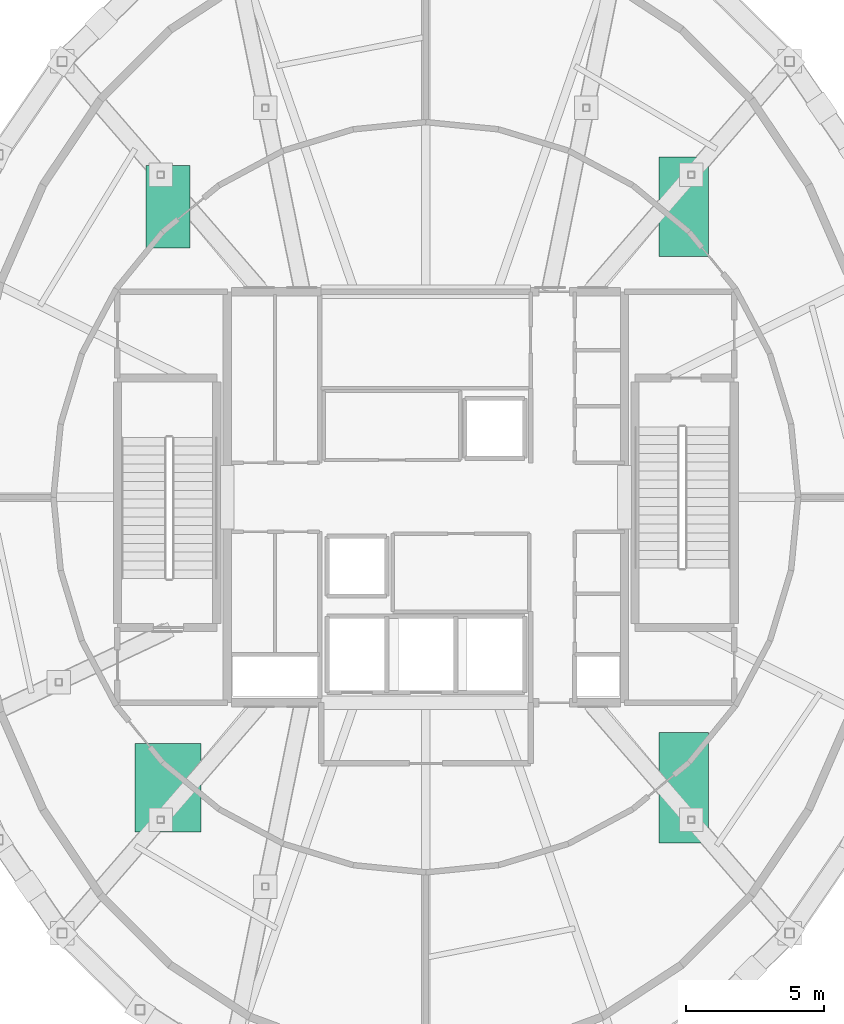
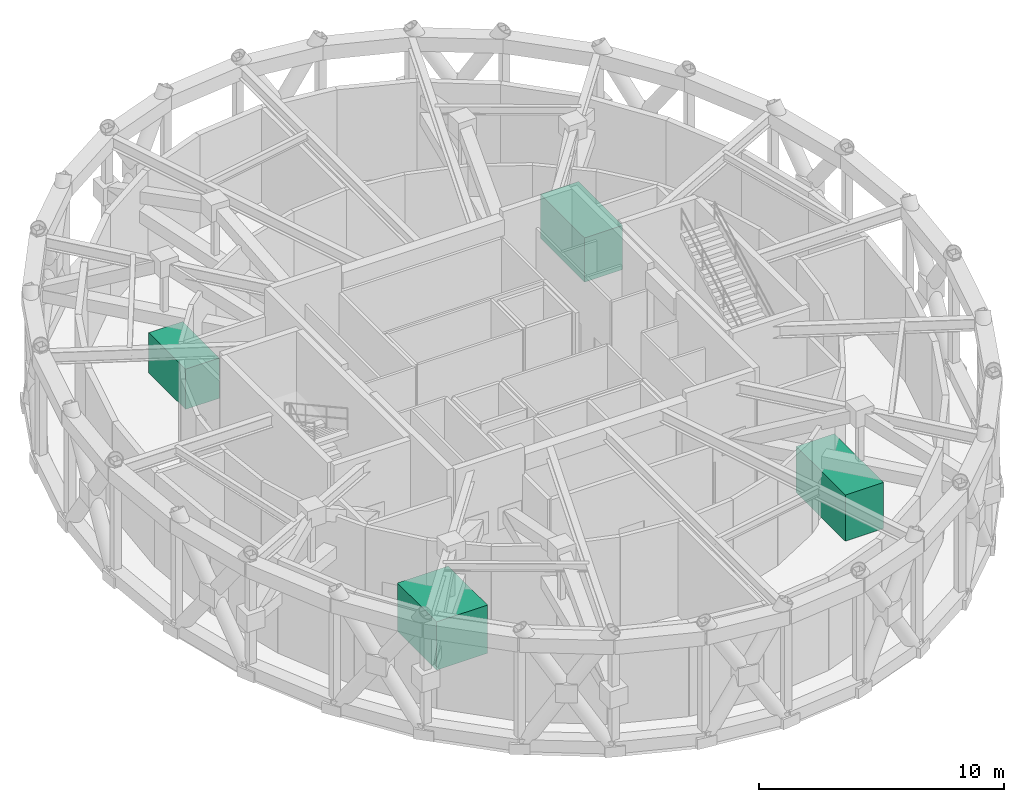
# One storey, part 11 of 11: 1 chiller, 1 electric generator, 1 tank, 1 unitary equipment element.
"""IFC4 building model written with IfcOpenShell, lengths in metres."""

from ifc_helpers import new_model, si_unit, direction, frame, origin, origin_2d, place, context, subcontext, project, spatial, rectangle, extrude, material, type_object, element, save


model = new_model("IFC4")

# Units and contexts
model_context = context("Model", 3, precision=1e-05, world=origin(), true_north=direction((0.0, 1.0)))
body_context = subcontext(model_context, "Body", "Model", "MODEL_VIEW")
ifc_project = project(units=[si_unit("LENGTHUNIT", "METRE"), si_unit("AREAUNIT", "SQUARE_METRE"), si_unit("VOLUMEUNIT", "CUBIC_METRE"), si_unit("PLANEANGLEUNIT", "RADIAN"), si_unit("MASSUNIT", "GRAM", prefix="KILO")], contexts=[model_context])

# Site, building, storey
site_placement = place(None, origin())
site = spatial("IfcSite", under=ifc_project, at=site_placement, CompositionType="ELEMENT")
building_placement = place(site_placement, origin())
building = spatial("IfcBuilding", under=site, at=building_placement, Name="Veldorina Hangang Commons", CompositionType="ELEMENT")
storey_placement = place(building_placement, frame((0.0, 0.0, 302.39990234375)))
storey = spatial("IfcBuildingStorey", under=building, at=storey_placement, Name="L79", CompositionType="ELEMENT", Elevation=302.39990234375)

# Unitary equipment
ifc_material_1 = material(Name="Aluminium Insulated Double-Skin Casing", Category="aluminium")
unitary_equipment_type = type_object("IfcUnitaryEquipmentType", Name="EQ-AHU-1", PredefinedType="AIRHANDLER", material=ifc_material_1)
unitary_equipment_placement = place(storey_placement, frame((22.646728515625, 34.530517578125, 0.0), z_axis=(0.0, 0.0, 1.0), x_axis=(1.0, 0.0, 0.0)))
element("IfcUnitaryEquipment", 1, at=unitary_equipment_placement, inside=storey, type_object=unitary_equipment_type, Name="L79 High-Zone Exhaust and AHU Plant Room equipment 020", PredefinedType="AIRHANDLER", context=body_context, shape_type="SweptSolid", body=[
    extrude(rectangle(XDim=1.60009765625, YDim=3.0, at=origin_2d()), origin(), (0.0, 0.0, 1.0), 2.0),
])

# Chiller
ifc_material_2 = material(Name="Steel Powder-Coated Enclosure", Category="steel")
chiller_type = type_object("IfcChillerType", Name="EQ-CHILLER-1", PredefinedType="AIRCOOLED", material=ifc_material_2)
chiller_placement = place(storey_placement, frame((41.353271484375, 34.530517578125, 0.0), z_axis=(0.0, 0.0, 1.0), x_axis=(1.0, 0.0, 0.0)))
element("IfcChiller", 2, at=chiller_placement, inside=storey, type_object=chiller_type, Name="L79 Top Heat Rejection Chiller Room equipment 019", PredefinedType="AIRCOOLED", context=body_context, shape_type="SweptSolid", body=[
    extrude(rectangle(XDim=1.800048828125, YDim=3.60009765625, at=origin_2d()), origin(), (0.0, 0.0, 1.0), 2.199951171875),
])

# Electric generator
ifc_material_3 = material(Name="Steel Acoustic Generator Canopy", Category="steel")
electric_generator_type = type_object("IfcElectricGeneratorType", Name="EQ-GEN-1", PredefinedType="ENGINEGENERATOR", material=ifc_material_3)
electric_generator_placement = place(storey_placement, frame((41.353271484375, 13.469482421875, 0.0), z_axis=(0.0, 0.0, 1.0), x_axis=(1.0, 0.0, 0.0)))
element("IfcElectricGenerator", 3, at=electric_generator_placement, inside=storey, type_object=electric_generator_type, Name="L79 Standby Emergency Generator Room equipment 022", PredefinedType="ENGINEGENERATOR", context=body_context, shape_type="SweptSolid", body=[
    extrude(rectangle(XDim=1.800048828125, YDim=4.0, at=origin_2d()), origin(), (0.0, 0.0, 1.0), 2.300048828125),
])

# Tank
ifc_material_4 = material(Name="Stainless Steel Panel Tank 316L", Category="steel")
tank_type = type_object("IfcTankType", Name="EQ-TANK-1", PredefinedType="STORAGE", material=ifc_material_4)
tank_placement = place(storey_placement, frame((22.646728515625, 13.469482421875, 0.000244140625), z_axis=(0.0, 0.0, 1.0), x_axis=(1.0, 0.0, 0.0)))
element("IfcTank", 4, at=tank_placement, inside=storey, type_object=tank_type, Name="L79 Gravity Fire Water Tank Room equipment 021", PredefinedType="STORAGE", context=body_context, shape_type="SweptSolid", body=[
    extrude(rectangle(XDim=2.39990234375, YDim=3.199951171875, at=origin_2d()), origin(), (0.0, 0.0, 1.0), 2.39990234375),
])

save(model, "model.ifc")
